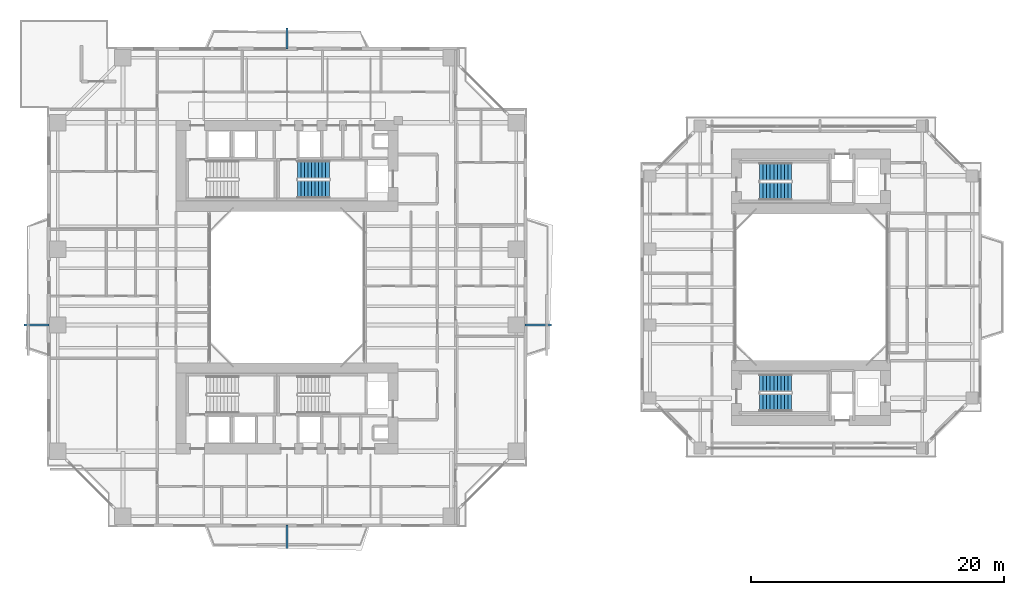
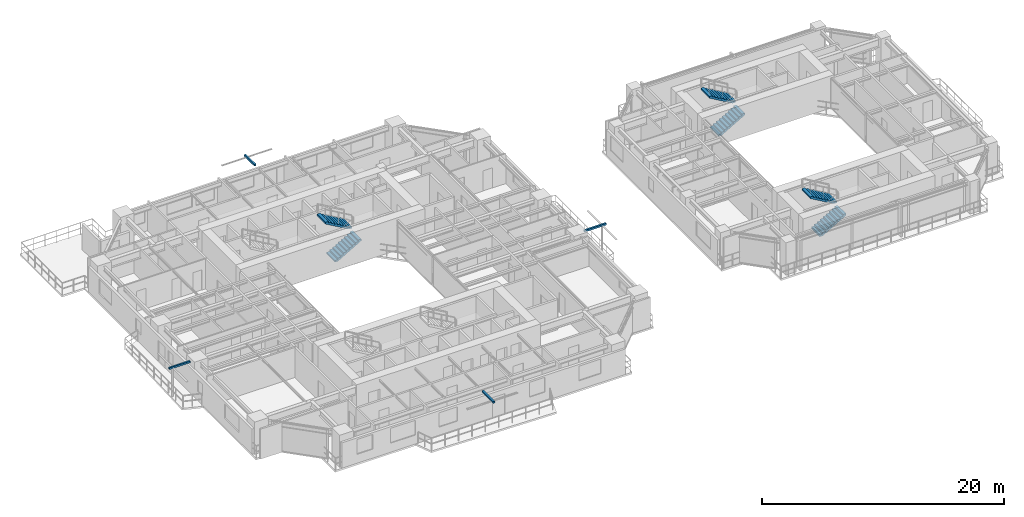
# One storey, part 19 of 24: 6 stair flights, 4 discrete accessories, 3 elements without a shape of their own.
"""IFC4 building model written with IfcOpenShell, lengths in metres."""

import ifcopenshell
import ifcopenshell.guid

model = None  # the IFC model being written
_history = None  # IfcOwnerHistory: only IFC2X3 demands one
_inside = {}  # id of a spatial element -> (the spatial element, [elements in it])
_under = {}  # id of a project, library or spatial element -> (it, [spatial elements below it])
_declared = {}  # id of a project -> (the project, [libraries it declares])
_typed = {}  # id of a type object -> (the type object, [elements of that type])
_made_of = {}  # id of a material, layer set ... -> (it, [elements and type objects made of it])


def new_model(schema):
    """Start an empty IFC model of exactly this schema.

    Asked for "IFC4X3", IfcOpenShell would pick the latest addendum, in which some entities
    have other attributes; the version numbers below select the first issue.
    IFC2X3 requires an IfcOwnerHistory on every rooted entity: one is made here for all.
    """
    global model, _history
    if schema == "IFC4X3":
        model = ifcopenshell.file(schema_version=(4, 3, 0, 0))
    else:
        model = ifcopenshell.file(schema=schema)
    _inside.clear()
    _under.clear()
    _declared.clear()
    _typed.clear()
    _made_of.clear()
    _history = None
    if model.schema == "IFC2X3":
        org = make("IfcOrganization", Name="unknown")
        user = make(
            "IfcPersonAndOrganization",
            ThePerson=make("IfcPerson", FamilyName="unknown"),
            TheOrganization=org,
        )
        app = make(
            "IfcApplication",
            ApplicationDeveloper=org,
            Version="unknown",
            ApplicationFullName="unknown",
            ApplicationIdentifier="unknown",
        )
        _history = make(
            "IfcOwnerHistory",
            OwningUser=user,
            OwningApplication=app,
            ChangeAction="ADDED",
            CreationDate=0,
        )
    return model


def make(cls, **values):
    """One entity of the class cls with the attributes given. An attribute that is None is left unset."""
    return model.create_entity(
        cls, **{name: value for name, value in values.items() if value is not None}
    )


def rooted(cls, **values):
    """An entity with a GlobalId (a new one), such as an element, a storey or a relation."""
    return make(cls, GlobalId=ifcopenshell.guid.new(), OwnerHistory=_history, **values)


def si_unit(unit_type, name, prefix=None):
    """IfcSIUnit, for example si_unit("LENGTHUNIT", "METRE", prefix="MILLI")."""
    return make("IfcSIUnit", UnitType=unit_type, Prefix=prefix, Name=name)


def assignment(units):
    """IfcUnitAssignment: the units of a project."""
    return None if units is None else make("IfcUnitAssignment", Units=units)


def point(xyz):
    """IfcCartesianPoint."""
    return None if xyz is None else make("IfcCartesianPoint", Coordinates=xyz)


def direction(xyz):
    """IfcDirection."""
    return None if xyz is None else make("IfcDirection", DirectionRatios=xyz)


def frame(location, z_axis=None, x_axis=None):
    """IfcAxis2Placement3D, a coordinate frame: its origin and axes. An axis left out is left unset."""
    return make(
        "IfcAxis2Placement3D",
        Location=point(location),
        Axis=direction(z_axis),
        RefDirection=direction(x_axis),
    )


def frame_2d(location, x_axis=None):
    """IfcAxis2Placement2D, a coordinate frame in the plane: its origin and x axis."""
    return make(
        "IfcAxis2Placement2D", Location=point(location), RefDirection=direction(x_axis)
    )


def origin():
    """The frame at (0, 0, 0) with its axes left unset."""
    return frame((0.0, 0.0, 0.0))


def origin_2d():
    """The frame at (0, 0) in the plane with its x axis left unset."""
    return frame_2d((0.0, 0.0))


def place(relative_to, where):
    """IfcLocalPlacement: puts the frame where relative to a parent placement (None: the world)."""
    return make(
        "IfcLocalPlacement", PlacementRelTo=relative_to, RelativePlacement=where
    )


def context(
    kind, dimensions, precision=None, world=None, true_north=None, identifier=None
):
    """IfcGeometricRepresentationContext, for example the 3D "Model" context."""
    return make(
        "IfcGeometricRepresentationContext",
        ContextIdentifier=identifier,
        ContextType=kind,
        CoordinateSpaceDimension=dimensions,
        Precision=precision,
        WorldCoordinateSystem=world,
        TrueNorth=true_north,
    )


def subcontext(parent, identifier, kind, view, scale=None):
    """IfcGeometricRepresentationSubContext, for example "Body" below "Model"."""
    return make(
        "IfcGeometricRepresentationSubContext",
        ContextIdentifier=identifier,
        ContextType=kind,
        ParentContext=parent,
        TargetScale=scale,
        TargetView=view,
    )


def project(units=None, contexts=None):
    """IfcProject with its units and contexts."""
    return rooted(
        "IfcProject",
        Name="project",
        RepresentationContexts=contexts,
        UnitsInContext=assignment(units),
    )


def spatial(cls, under=None, at=None, **own):
    """A site, building, storey or space (cls), placed at a placement, below another one or the project."""
    s = rooted(cls, ObjectPlacement=at, **own)
    if under is not None:
        _under.setdefault(under.id(), (under, []))[1].append(s)
    return s


def polyline(points):
    """IfcPolyline through the points."""
    return make("IfcPolyline", Points=[point(p) for p in points])


def profile(cls, at=None, kind="AREA", **sizes):
    """A parametric profile (cls). Its sizes go by their IFC names, for example OverallWidth=200.0."""
    return make(cls, ProfileType=kind, Position=at, **sizes)


def rectangle(**sizes):
    """IfcRectangleProfileDef."""
    return profile("IfcRectangleProfileDef", **sizes)


def outline(outer, holes=None, kind="AREA"):
    """IfcArbitraryClosedProfileDef: a profile drawn as a closed curve; with holes, ...WithVoids."""
    if holes is None:
        return make("IfcArbitraryClosedProfileDef", ProfileType=kind, OuterCurve=outer)
    return make(
        "IfcArbitraryProfileDefWithVoids",
        ProfileType=kind,
        OuterCurve=outer,
        InnerCurves=holes,
    )


def extrude(swept, where, along, depth):
    """IfcExtrudedAreaSolid: the profile swept, set in the frame where, extruded along a direction by depth."""
    return make(
        "IfcExtrudedAreaSolid",
        SweptArea=swept,
        Position=where,
        ExtrudedDirection=direction(along),
        Depth=depth,
    )


def shape(context_of_items, identifier, shape_type, items):
    """IfcShapeRepresentation: the items that make up one representation, for example the "Body"."""
    return make(
        "IfcShapeRepresentation",
        ContextOfItems=context_of_items,
        RepresentationIdentifier=identifier,
        RepresentationType=shape_type,
        Items=items,
    )


def source(mapping_origin, context_of_items, identifier, shape_type, items):
    """IfcRepresentationMap: a shape defined once, which mapped items show again and again."""
    return make(
        "IfcRepresentationMap",
        MappingOrigin=mapping_origin,
        MappedRepresentation=shape(context_of_items, identifier, shape_type, items),
    )


def transform(
    local_origin,
    x_axis=None,
    y_axis=None,
    z_axis=None,
    scale=None,
    scale2=None,
    scale3=None,
    uniform=True,
):
    """IfcCartesianTransformationOperator3D, or its non-uniform kind. x_axis, y_axis, z_axis: its Axis1, 2, 3."""
    if uniform:
        return make(
            "IfcCartesianTransformationOperator3D",
            Axis1=direction(x_axis),
            Axis2=direction(y_axis),
            LocalOrigin=point(local_origin),
            Scale=scale,
            Axis3=direction(z_axis),
        )
    return make(
        "IfcCartesianTransformationOperator3DnonUniform",
        Axis1=direction(x_axis),
        Axis2=direction(y_axis),
        LocalOrigin=point(local_origin),
        Scale=scale,
        Axis3=direction(z_axis),
        Scale2=scale2,
        Scale3=scale3,
    )


def mapped(mapping_source, mapping_target):
    """IfcMappedItem: shows the shape of a source again, moved by a transform."""
    return make(
        "IfcMappedItem", MappingSource=mapping_source, MappingTarget=mapping_target
    )


def material(Name=None, Category=None):
    """IfcMaterial."""
    return make("IfcMaterial", Name=Name, Category=Category)


def made_of(thing, what):
    """Note that an element or type object is made of a material, layer set ...; save() writes the relation."""
    if what is not None:
        _made_of.setdefault(what.id(), (what, []))[1].append(thing)
    return thing


def type_object(cls, material=None, **own):
    """A type object (cls), such as IfcWallType, which elements share."""
    return made_of(rooted(cls, **own), material)


def element(
    cls,
    number,
    at=None,
    inside=None,
    cuts=None,
    type_object=None,
    material=None,
    context=None,
    identifier="Body",
    shape_type=None,
    held_by="IfcProductDefinitionShape",
    body=None,
    shapes=None,
    **own,
):
    """One element of the class cls, such as IfcWall. Its Tag is "e" and its number.

    at: its placement. inside: the storey or other place that contains it. cuts: it is an
    opening in that element (IfcRelVoidsElement). A single representation is given by context,
    identifier, shape_type and body (its items); several are given by shapes. held_by: the class
    of the entity that holds the representations. save() writes the other relations.
    """
    e = rooted(cls, Tag="e%d" % number, ObjectPlacement=at, **own)
    if body is not None:
        shapes = [shape(context, identifier, shape_type, body)]
    if shapes is not None:
        e.Representation = make(held_by, Representations=shapes)
    if inside is not None:
        _inside.setdefault(inside.id(), (inside, []))[1].append(e)
    if cuts is not None:
        rooted(
            "IfcRelVoidsElement", RelatingBuildingElement=cuts, RelatedOpeningElement=e
        )
    if type_object is not None:
        _typed.setdefault(type_object.id(), (type_object, []))[1].append(e)
    return made_of(e, material)


def aggregate(whole, parts):
    """IfcRelAggregates: a whole, such as a stair, and the parts it consists of."""
    return rooted("IfcRelAggregates", RelatingObject=whole, RelatedObjects=parts)


def save(model, path):
    """Write the relations noted so far, then the file.

    IfcRelAggregates (storeys below a building ...), IfcRelContainedInSpatialStructure (elements
    in a storey), IfcRelDefinesByType, IfcRelAssociatesMaterial and IfcRelDeclares: one each for
    every whole, place, type object, material and project.
    """
    for whole, parts in _under.values():
        aggregate(whole, parts)
    for where, things in _inside.values():
        rooted(
            "IfcRelContainedInSpatialStructure",
            RelatedElements=things,
            RelatingStructure=where,
        )
    for kind, things in _typed.values():
        rooted("IfcRelDefinesByType", RelatedObjects=things, RelatingType=kind)
    for what, things in _made_of.values():
        rooted("IfcRelAssociatesMaterial", RelatedObjects=things, RelatingMaterial=what)
    for by, libraries in _declared.values():
        rooted("IfcRelDeclares", RelatingContext=by, RelatedDefinitions=libraries)
    model.write(path)


model = new_model("IFC4")

# Units and contexts
model_context = context("Model", 3, precision=1e-05, world=origin(), true_north=direction((0.0, 1.0)))
body_context = subcontext(model_context, "Body", "Model", "MODEL_VIEW")
ifc_project = project(units=[si_unit("LENGTHUNIT", "METRE"), si_unit("AREAUNIT", "SQUARE_METRE"), si_unit("VOLUMEUNIT", "CUBIC_METRE"), si_unit("PLANEANGLEUNIT", "RADIAN"), si_unit("MASSUNIT", "GRAM", prefix="KILO"), si_unit("THERMODYNAMICTEMPERATUREUNIT", "KELVIN"), si_unit("POWERUNIT", "WATT")], contexts=[model_context])

# Site, building, storey
site_placement = place(None, origin())
site = spatial("IfcSite", under=ifc_project, at=site_placement, CompositionType="ELEMENT")
building_placement = place(site_placement, origin())
building = spatial("IfcBuilding", under=site, at=building_placement, Name="Qiaomeng Ring Towers", CompositionType="ELEMENT")
storey_placement = place(building_placement, frame((0.0, 0.0, 42.5)))
storey = spatial("IfcBuildingStorey", under=building, at=storey_placement, Name="L11", CompositionType="ELEMENT", Elevation=42.5)

# Stair, stair flights
ifc_material_1 = material(Name="Precast concrete C40", Category="concrete")
stair_type = type_object("IfcStairType", Name="ARC-ST-325", PredefinedType="HALF_TURN_STAIR", material=ifc_material_1)
stair_1_placement = place(storey_placement, origin())
stair_1 = element("IfcStair", 1, at=stair_1_placement, inside=storey, type_object=stair_type, Name="L11 Tower 1 North Stair 2", PredefinedType="HALF_TURN_STAIR")
stair_flight_type = type_object("IfcStairFlightType", Name="ARC-ST-325-FL", PredefinedType="STRAIGHT", material=ifc_material_1)
shared_shape_1 = source(origin(), body_context, "Body", "SweptSolid", [
    extrude(outline(polyline([(0.0, 0.0), (0.0, 0.16259765625), (0.280029296875, 0.16259765625), (0.280029296875, 0.324951171875), (0.56005859375, 0.324951171875), (0.56005859375, 0.487548828125), (0.840087890625, 0.487548828125), (0.840087890625, 0.64990234375), (1.1201171875, 0.64990234375), (1.1201171875, 0.8125), (1.39990234375, 0.8125), (1.39990234375, 0.97509765625), (1.679931640625, 0.97509765625), (1.679931640625, 1.137451171875), (1.9599609375, 1.137451171875), (1.9599609375, 1.300048828125), (2.239990234375, 1.300048828125), (2.239990234375, 1.46240234375), (2.52001953125, 1.46240234375), (2.52001953125, 1.625), (2.52001953125, 1.2890625), (0.298583984375, 0.0), (0.0, 0.0)])), frame((0.0, 0.699951171875, 0.0), z_axis=(0.0, -1.0, 0.0), x_axis=(1.0, 0.0, 0.0)), (0.0, 0.0, 1.0), 1.39990234375),
])
stair_flight_1_placement = place(storey_placement, frame((19.820068359375, 30.75, 0.0), z_axis=(0.0, 0.0, 1.0), x_axis=(1.0, 0.0, 0.0)))
stair_flight_1 = element("IfcStairFlight", 2, at=stair_flight_1_placement, type_object=stair_flight_type, Name="ST2 flight 1", NumberOfRisers=10, NumberOfTreads=9, PredefinedType="STRAIGHT", RiserHeight=0.1625, TreadLength=0.28, context=body_context, shape_type="MappedRepresentation", body=[
    mapped(shared_shape_1, transform((0.0, 0.0, 0.0), x_axis=(1.0, 0.0, 0.0), y_axis=(0.0, 1.0, 0.0), z_axis=(0.0, 0.0, 1.0), scale=1.0)),
])
stair_flight_2_placement = place(storey_placement, frame((22.340087890625, 32.2900390625, 1.625), z_axis=(0.0, 0.0, 1.0), x_axis=(-1.0, 0.0, 0.0)))
stair_flight_2 = element("IfcStairFlight", 3, at=stair_flight_2_placement, type_object=stair_flight_type, Name="ST2 flight 2", NumberOfRisers=10, NumberOfTreads=9, PredefinedType="STRAIGHT", RiserHeight=0.1625, TreadLength=0.28, context=body_context, shape_type="MappedRepresentation", body=[
    mapped(shared_shape_1, transform((0.0, 0.0, 0.0), x_axis=(1.0, 0.0, 0.0), y_axis=(0.0, 1.0, 0.0), z_axis=(0.0, 0.0, 1.0), scale=1.0)),
])
aggregate(stair_1, [stair_flight_1, stair_flight_2])

stair_2_placement = place(storey_placement, origin())
stair_2 = element("IfcStair", 4, at=stair_2_placement, inside=storey, type_object=stair_type, Name="L11 Companion North Stair 5", PredefinedType="HALF_TURN_STAIR")
stair_flight_3_placement = place(storey_placement, frame((56.419921875, 30.60009765625, 0.0), z_axis=(0.0, 0.0, 1.0), x_axis=(1.0, 0.0, 0.0)))
stair_flight_3 = element("IfcStairFlight", 5, at=stair_flight_3_placement, type_object=stair_flight_type, Name="ST5 flight 1", NumberOfRisers=10, NumberOfTreads=9, PredefinedType="STRAIGHT", RiserHeight=0.1625, TreadLength=0.28, context=body_context, shape_type="MappedRepresentation", body=[
    mapped(shared_shape_1, transform((0.0, 0.0, 0.0), x_axis=(1.0, 0.0, 0.0), y_axis=(0.0, 1.0, 0.0), z_axis=(0.0, 0.0, 1.0), scale=1.0)),
])
stair_flight_4_placement = place(storey_placement, frame((58.93994140625, 32.139892578125, 1.625), z_axis=(0.0, 0.0, 1.0), x_axis=(-1.0, 0.0, 0.0)))
stair_flight_4 = element("IfcStairFlight", 6, at=stair_flight_4_placement, type_object=stair_flight_type, Name="ST5 flight 2", NumberOfRisers=10, NumberOfTreads=9, PredefinedType="STRAIGHT", RiserHeight=0.1625, TreadLength=0.28, context=body_context, shape_type="MappedRepresentation", body=[
    mapped(shared_shape_1, transform((0.0, 0.0, 0.0), x_axis=(1.0, 0.0, 0.0), y_axis=(0.0, 1.0, 0.0), z_axis=(0.0, 0.0, 1.0), scale=1.0)),
])
aggregate(stair_2, [stair_flight_3, stair_flight_4])

stair_3_placement = place(storey_placement, origin())
stair_3 = element("IfcStair", 7, at=stair_3_placement, inside=storey, type_object=stair_type, Name="L11 Companion South Stair 6", PredefinedType="HALF_TURN_STAIR")
stair_flight_5_placement = place(storey_placement, frame((56.419921875, 13.860107421875, 0.0), z_axis=(0.0, 0.0, 1.0), x_axis=(1.0, 0.0, 0.0)))
stair_flight_5 = element("IfcStairFlight", 8, at=stair_flight_5_placement, type_object=stair_flight_type, Name="ST6 flight 1", NumberOfRisers=10, NumberOfTreads=9, PredefinedType="STRAIGHT", RiserHeight=0.1625, TreadLength=0.28, context=body_context, shape_type="MappedRepresentation", body=[
    mapped(shared_shape_1, transform((0.0, 0.0, 0.0), x_axis=(1.0, 0.0, 0.0), y_axis=(0.0, 1.0, 0.0), z_axis=(0.0, 0.0, 1.0), scale=1.0)),
])
stair_flight_6_placement = place(storey_placement, frame((58.93994140625, 15.39990234375, 1.625), z_axis=(0.0, 0.0, 1.0), x_axis=(-1.0, 0.0, 0.0)))
stair_flight_6 = element("IfcStairFlight", 9, at=stair_flight_6_placement, type_object=stair_flight_type, Name="ST6 flight 2", NumberOfRisers=10, NumberOfTreads=9, PredefinedType="STRAIGHT", RiserHeight=0.1625, TreadLength=0.28, context=body_context, shape_type="MappedRepresentation", body=[
    mapped(shared_shape_1, transform((0.0, 0.0, 0.0), x_axis=(1.0, 0.0, 0.0), y_axis=(0.0, 1.0, 0.0), z_axis=(0.0, 0.0, 1.0), scale=1.0)),
])
aggregate(stair_3, [stair_flight_5, stair_flight_6])

# Discrete accessories
ifc_material_2 = material(Name="Stainless steel 316", Category="steel")
discrete_accessory_type = type_object("IfcDiscreteAccessoryType", Name="ARC-ACC-BRACKET", PredefinedType="BRACKET", material=ifc_material_2)
shared_shape_2 = source(origin(), body_context, "Body", "SweptSolid", [
    extrude(rectangle(XDim=0.159912109375, YDim=1.85009765625, at=origin_2d()), origin(), (0.0, 0.0, 1.0), 0.179931640625),
])
discrete_accessory_1_placement = place(storey_placement, frame((19.0, 3.22509765625, 2.85986328125), z_axis=(0.0, 0.0, 1.0), x_axis=(1.0, 0.0, 0.0)))
element("IfcDiscreteAccessory", 10, at=discrete_accessory_1_placement, inside=storey, type_object=discrete_accessory_type, Name="L11 Stainless Outer-Skin Tie Bracket S", PredefinedType="BRACKET", context=body_context, shape_type="MappedRepresentation", body=[
    mapped(shared_shape_2, transform((0.0, 0.0, 0.0), x_axis=(1.0, 0.0, 0.0), y_axis=(0.0, 1.0, 0.0), z_axis=(0.0, 0.0, 1.0), scale=1.0)),
])
shared_shape_3 = source(origin(), body_context, "Body", "SweptSolid", [
    extrude(rectangle(XDim=0.159912109375, YDim=1.669921875, at=origin_2d()), origin(), (0.0, 0.0, 1.0), 0.179931640625),
])
discrete_accessory_2_placement = place(storey_placement, frame((19.0, 42.68505859375, 2.85986328125), z_axis=(0.0, 0.0, 1.0), x_axis=(1.0, 0.0, 0.0)))
element("IfcDiscreteAccessory", 11, at=discrete_accessory_2_placement, inside=storey, type_object=discrete_accessory_type, Name="L11 Stainless Outer-Skin Tie Bracket N", PredefinedType="BRACKET", context=body_context, shape_type="MappedRepresentation", body=[
    mapped(shared_shape_3, transform((0.0, 0.0, 0.0), x_axis=(1.0, 0.0, 0.0), y_axis=(0.0, 1.0, 0.0), z_axis=(0.0, 0.0, 1.0), scale=1.0)),
])
shared_shape_4 = source(origin(), body_context, "Body", "SweptSolid", [
    extrude(rectangle(XDim=2.0, YDim=0.159912109375, at=origin_2d()), origin(), (0.0, 0.0, 1.0), 0.179931640625),
])
discrete_accessory_3_placement = place(storey_placement, frame((-0.85009765625, 20.0, 2.85986328125), z_axis=(0.0, 0.0, 1.0), x_axis=(1.0, 0.0, 0.0)))
element("IfcDiscreteAccessory", 12, at=discrete_accessory_3_placement, inside=storey, type_object=discrete_accessory_type, Name="L11 Stainless Outer-Skin Tie Bracket W", PredefinedType="BRACKET", context=body_context, shape_type="MappedRepresentation", body=[
    mapped(shared_shape_4, transform((0.0, 0.0, 0.0), x_axis=(1.0, 0.0, 0.0), y_axis=(0.0, 1.0, 0.0), z_axis=(0.0, 0.0, 1.0), scale=1.0)),
])
shared_shape_5 = source(origin(), body_context, "Body", "SweptSolid", [
    extrude(rectangle(XDim=2.070068359375, YDim=0.159912109375, at=origin_2d()), origin(), (0.0, 0.0, 1.0), 0.179931640625),
])
discrete_accessory_4_placement = place(storey_placement, frame((38.885009765625, 20.0, 2.85986328125), z_axis=(0.0, 0.0, 1.0), x_axis=(1.0, 0.0, 0.0)))
element("IfcDiscreteAccessory", 13, at=discrete_accessory_4_placement, inside=storey, type_object=discrete_accessory_type, Name="L11 Stainless Outer-Skin Tie Bracket E", PredefinedType="BRACKET", context=body_context, shape_type="MappedRepresentation", body=[
    mapped(shared_shape_5, transform((0.0, 0.0, 0.0), x_axis=(1.0, 0.0, 0.0), y_axis=(0.0, 1.0, 0.0), z_axis=(0.0, 0.0, 1.0), scale=1.0)),
])

save(model, "model.ifc")
